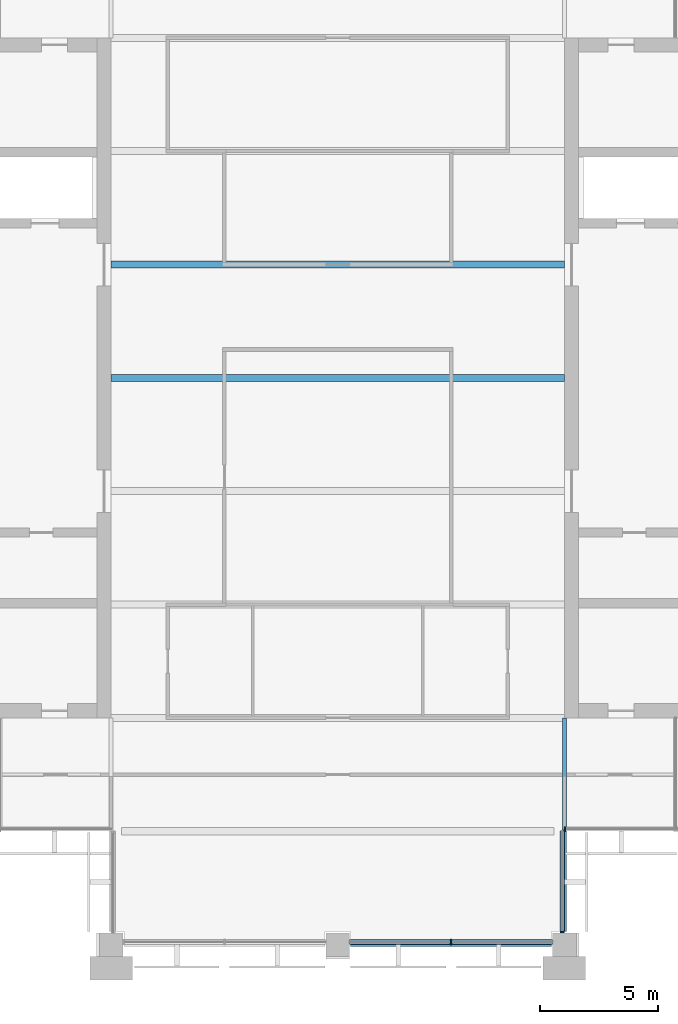
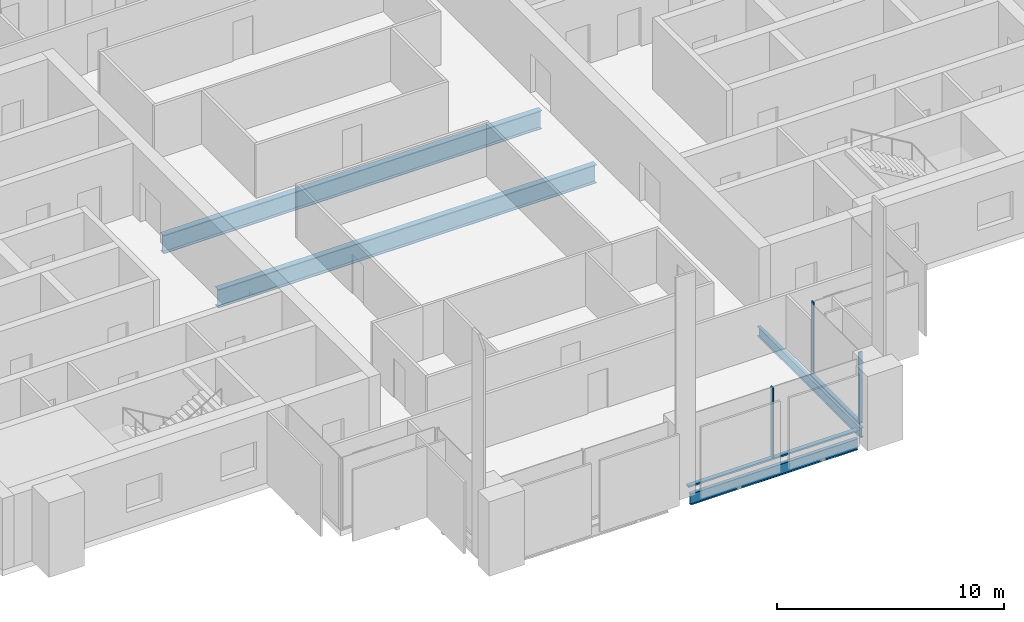
# One storey, part 3 of 12: 5 members, 4 beams, 3 elements without a shape of their own.
"""IFC4 building model written with IfcOpenShell, lengths in metres."""

from ifc_helpers import new_model, si_unit, direction, frame, origin, origin_2d, place, context, subcontext, project, spatial, rectangle, i_section, extrude, material, material_profile, profile_set, type_object, element, aggregate, save


model = new_model("IFC4")

# Units and contexts
model_context = context("Model", 3, precision=1e-05, world=origin(), true_north=direction((0.0, 1.0)))
body_context = subcontext(model_context, "Body", "Model", "MODEL_VIEW")
ifc_project = project(units=[si_unit("LENGTHUNIT", "METRE"), si_unit("AREAUNIT", "SQUARE_METRE"), si_unit("VOLUMEUNIT", "CUBIC_METRE"), si_unit("PLANEANGLEUNIT", "RADIAN"), si_unit("MASSUNIT", "GRAM", prefix="KILO")], contexts=[model_context])

# Site, building, storey
site_placement = place(None, origin())
site = spatial("IfcSite", under=ifc_project, at=site_placement, CompositionType="ELEMENT")
building_placement = place(site_placement, origin())
building = spatial("IfcBuilding", under=site, at=building_placement, Name="Baori Bourse Tower", CompositionType="ELEMENT")
storey_placement = place(building_placement, frame((0.0, 0.0, 282.300048828125)))
storey = spatial("IfcBuildingStorey", under=building, at=storey_placement, Name="L61", CompositionType="ELEMENT", Elevation=282.300048828125)

# Curtain wall, member
ifc_material_1 = material(Name="Pale anodised aluminium", Category="aluminium")
curtain_wall_type_1 = type_object("IfcCurtainWallType", Name="CW2 Curtain wall", PredefinedType="NOTDEFINED", material=ifc_material_1)
curtain_wall_1_placement = place(storey_placement, origin())
curtain_wall_1 = element("IfcCurtainWall", 1, at=curtain_wall_1_placement, inside=storey, type_object=curtain_wall_type_1, Name="Curtain wall CW2 L61 12", PredefinedType="NOTDEFINED")
ifc_material_2 = material(Name="Pale anodised aluminium", Category="aluminium")
ifc_material_profile_1 = material_profile(ifc_material_2, rectangle(XDim=0.179931640625, YDim=0.054931640625, at=origin_2d()), Name="Mullion 55x180")
ifc_profile_set_1 = profile_set([ifc_material_profile_1], Name="Pale anodised aluminium")
member_type_1 = type_object("IfcMemberType", Name="CW2 Curtain wall mullion", PredefinedType="MULLION", material=ifc_profile_set_1)
member_1_placement = place(storey_placement, frame((38.31005859375, 0.527587890625, 0.070068359375), z_axis=(0.0, 0.0, 1.0), x_axis=(-1.0, 0.0, 0.0)))
member_1 = element("IfcMember", 2, at=member_1_placement, type_object=member_type_1, Name="Curtain wall CW2 mullion", PredefinedType="MULLION", context=body_context, shape_type="SweptSolid", body=[
    extrude(rectangle(XDim=0.179931640625, YDim=0.054931640625, at=origin_2d()), origin(), (0.0, 0.0, 1.0), 3.769775390625),
])

curtain_wall_2_placement = place(storey_placement, origin())
curtain_wall_2 = element("IfcCurtainWall", 3, at=curtain_wall_2_placement, inside=storey, type_object=curtain_wall_type_1, Name="Curtain wall CW2 L61 13", PredefinedType="NOTDEFINED")
member_2_placement = place(storey_placement, frame((38.427490234375, 4.889892578125, 0.070068359375), z_axis=(0.0, 0.0, 1.0), x_axis=(0.0, 1.0, 0.0)))
member_2 = element("IfcMember", 4, at=member_2_placement, type_object=member_type_1, Name="Curtain wall CW2 mullion", PredefinedType="MULLION", context=body_context, shape_type="SweptSolid", body=[
    extrude(rectangle(XDim=0.179931640625, YDim=0.054931640625, at=origin_2d()), origin(), (0.0, 0.0, 1.0), 3.769775390625),
])
aggregate(curtain_wall_2, [member_2])

# Member
ifc_material_3 = material(Name="Pale anodised aluminium", Category="aluminium")
ifc_material_profile_2 = material_profile(ifc_material_3, rectangle(XDim=0.179931640625, YDim=0.070068359375, at=origin_2d()), Name="Transom 70x180")
ifc_profile_set_2 = profile_set([ifc_material_profile_2], Name="Pale anodised aluminium")
member_type_2 = type_object("IfcMemberType", Name="CW2 Curtain wall transom", PredefinedType="USERDEFINED", material=ifc_profile_set_2)
member_3_placement = place(storey_placement, frame((38.31005859375, 0.5, 0.034912109375), z_axis=(0.0, 1.0, 0.0), x_axis=(-1.0, 0.0, 0.0)))
member_3 = element("IfcMember", 5, at=member_3_placement, type_object=member_type_2, Name="Curtain wall CW2 sill rail", ObjectType="TRANSOM", PredefinedType="USERDEFINED", context=body_context, shape_type="SweptSolid", body=[
    extrude(rectangle(XDim=0.179931640625, YDim=0.070068359375, at=origin_2d()), origin(), (0.0, 0.0, 1.0), 4.300048828125),
])

aggregate(curtain_wall_1, [member_3, member_1])

# Curtain wall, members
ifc_material_4 = material(Name="Pale anodised aluminium", Category="aluminium")
curtain_wall_type_2 = type_object("IfcCurtainWallType", Name="CW5 Curtain wall", PredefinedType="NOTDEFINED", material=ifc_material_4)
curtain_wall_3_placement = place(storey_placement, origin())
curtain_wall_3 = element("IfcCurtainWall", 6, at=curtain_wall_3_placement, inside=storey, type_object=curtain_wall_type_2, Name="Curtain wall CW5 L61 11", PredefinedType="NOTDEFINED")
ifc_material_5 = material(Name="Pale anodised aluminium", Category="aluminium")
ifc_material_profile_3 = material_profile(ifc_material_5, rectangle(XDim=0.219970703125, YDim=0.06494140625, at=origin_2d()), Name="Mullion 65x220")
ifc_profile_set_3 = profile_set([ifc_material_profile_3], Name="Pale anodised aluminium")
member_type_3 = type_object("IfcMemberType", Name="CW5 Curtain wall mullion", PredefinedType="MULLION", material=ifc_profile_set_3)
member_4_placement = place(storey_placement, frame((33.60009765625, 0.110107421875, 0.0849609375), z_axis=(0.0, 0.0, 1.0), x_axis=(0.0, 1.0, 0.0)))
member_4 = element("IfcMember", 7, at=member_4_placement, type_object=member_type_3, Name="Curtain wall CW5 mullion", PredefinedType="MULLION", context=body_context, shape_type="SweptSolid", body=[
    extrude(rectangle(XDim=0.219970703125, YDim=0.06494140625, at=origin_2d()), origin(), (0.0, 0.0, 1.0), 3.7548828125),
])
ifc_material_6 = material(Name="Pale anodised aluminium", Category="aluminium")
ifc_material_profile_4 = material_profile(ifc_material_6, rectangle(XDim=0.219970703125, YDim=0.0849609375, at=origin_2d()), Name="Transom 85x220")
ifc_profile_set_4 = profile_set([ifc_material_profile_4], Name="Pale anodised aluminium")
member_type_4 = type_object("IfcMemberType", Name="CW5 Curtain wall transom", PredefinedType="USERDEFINED", material=ifc_profile_set_4)
member_5_placement = place(storey_placement, frame((29.300048828125, 0.110107421875, 0.04248046875), z_axis=(1.0, 0.0, 0.0), x_axis=(0.0, 1.0, 0.0)))
member_5 = element("IfcMember", 8, at=member_5_placement, type_object=member_type_4, Name="Curtain wall CW5 sill rail", ObjectType="TRANSOM", PredefinedType="USERDEFINED", context=body_context, shape_type="SweptSolid", body=[
    extrude(rectangle(XDim=0.219970703125, YDim=0.0849609375, at=origin_2d()), origin(), (0.0, 0.0, 1.0), 8.599853515625),
])
aggregate(curtain_wall_3, [member_5, member_4])

# Beams
ifc_material_7 = material(Name="Steel A992 Gr 50", Category="steel")
ifc_material_profile_5 = material_profile(ifc_material_7, i_section(OverallWidth=0.177978515625, OverallDepth=0.599365234375, WebThickness=0.010009765625, FlangeThickness=0.012939453125, at=origin_2d()), Name="W24x55")
ifc_profile_set_5 = profile_set([ifc_material_profile_5], Name="Steel A992 Gr 50")
beam_type_1 = type_object("IfcBeamType", Name="Edge beam W24x55", PredefinedType="BEAM", material=ifc_profile_set_5)
beam_1_placement = place(storey_placement, frame((29.35009765625, 0.0, -0.599853515625), z_axis=(1.0, 0.0, 0.0), x_axis=(0.0, 1.0, 0.0)))
element("IfcBeam", 9, at=beam_1_placement, inside=storey, type_object=beam_type_1, Name="Edge beam L61", PredefinedType="BEAM", context=body_context, shape_type="SweptSolid", body=[
    extrude(i_section(OverallWidth=0.177978515625, OverallDepth=0.599365234375, WebThickness=0.010009765625, FlangeThickness=0.012939453125, at=origin_2d()), origin(), (0.0, 0.0, 1.0), 8.5),
])
ifc_material_8 = material(Name="Steel A992 Gr 50", Category="steel")
ifc_material_profile_6 = material_profile(ifc_material_8, i_section(OverallWidth=0.2998046875, OverallDepth=0.990478515625, WebThickness=0.0166015625, FlangeThickness=0.030517578125, at=origin_2d()), Name="W40x183")
ifc_profile_set_6 = profile_set([ifc_material_profile_6], Name="Steel A992 Gr 50")
beam_type_2 = type_object("IfcBeamType", Name="Floor beam W40x183", PredefinedType="BEAM", material=ifc_profile_set_6)
for number, where, z_axis, x_axis, name in (
    (10, (19.199951171875, 24.0, -0.79541015625), (1.0, 0.0, 0.0), (0.0, 1.0, 0.0), "Floor beam L61"),
    (11, (19.199951171875, 28.800048828125, -0.79541015625), (1.0, 0.0, 0.0), (0.0, 1.0, 0.0), "Floor beam L61"),
):
    element("IfcBeam", number, at=place(storey_placement, frame(where, z_axis=z_axis, x_axis=x_axis)), inside=storey, type_object=beam_type_2, Name=name, PredefinedType="BEAM", context=body_context, shape_type="SweptSolid", body=[
        extrude(i_section(OverallWidth=0.2998046875, OverallDepth=0.990478515625, WebThickness=0.0166015625, FlangeThickness=0.030517578125, at=origin_2d()), origin(), (0.0, 0.0, 1.0), 19.199951171875),
    ])
ifc_material_9 = material(Name="Steel A992 Gr 50", Category="steel")
ifc_material_profile_7 = material_profile(ifc_material_9, i_section(OverallWidth=0.1650390625, OverallDepth=0.52587890625, WebThickness=0.0087890625, FlangeThickness=0.011474609375, at=origin_2d()), Name="W21x44")
ifc_profile_set_7 = profile_set([ifc_material_profile_7], Name="Steel A992 Gr 50")
beam_type_3 = type_object("IfcBeamType", Name="Girder W21x44", PredefinedType="BEAM", material=ifc_profile_set_7)
beam_2_placement = place(storey_placement, frame((38.39990234375, 0.550048828125, -0.56298828125), z_axis=(0.0, 1.0, 0.0), x_axis=(-1.0, 0.0, 0.0)))
element("IfcBeam", 12, at=beam_2_placement, inside=storey, type_object=beam_type_3, Name="Girder L61", PredefinedType="BEAM", context=body_context, shape_type="SweptSolid", body=[
    extrude(i_section(OverallWidth=0.1650390625, OverallDepth=0.52587890625, WebThickness=0.0087890625, FlangeThickness=0.011474609375, at=origin_2d()), origin(), (0.0, 0.0, 1.0), 9.050048828125),
])

save(model, "model.ifc")
